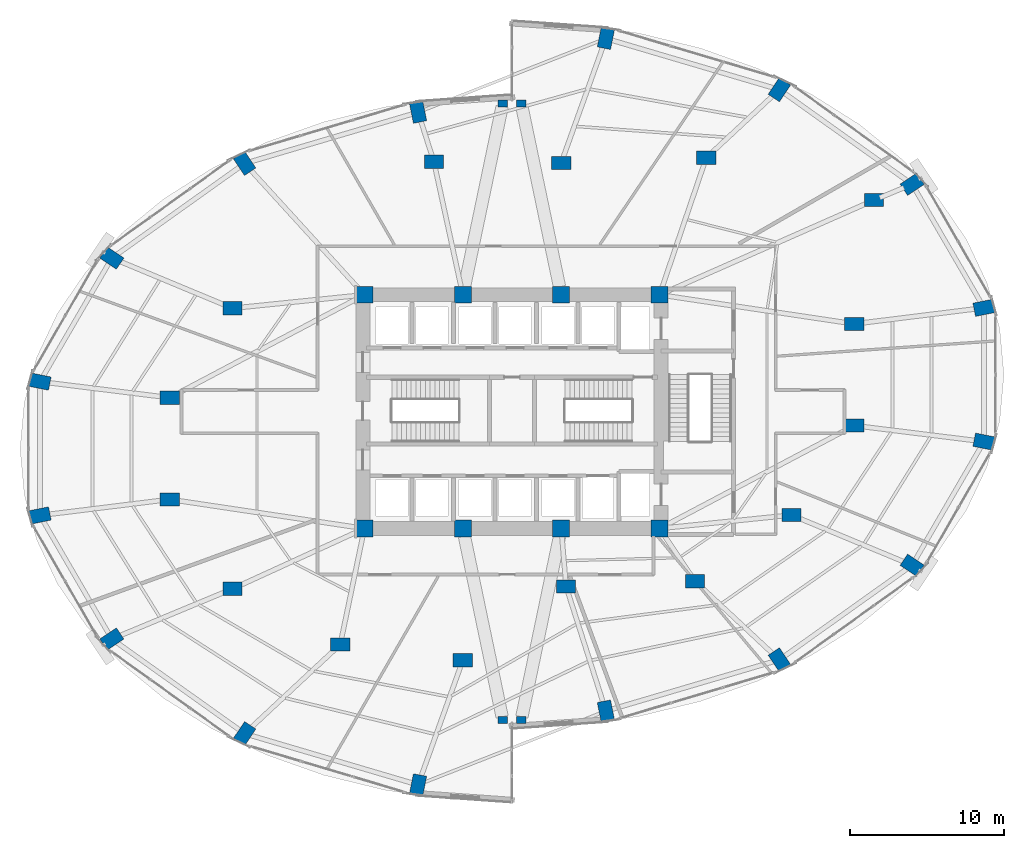
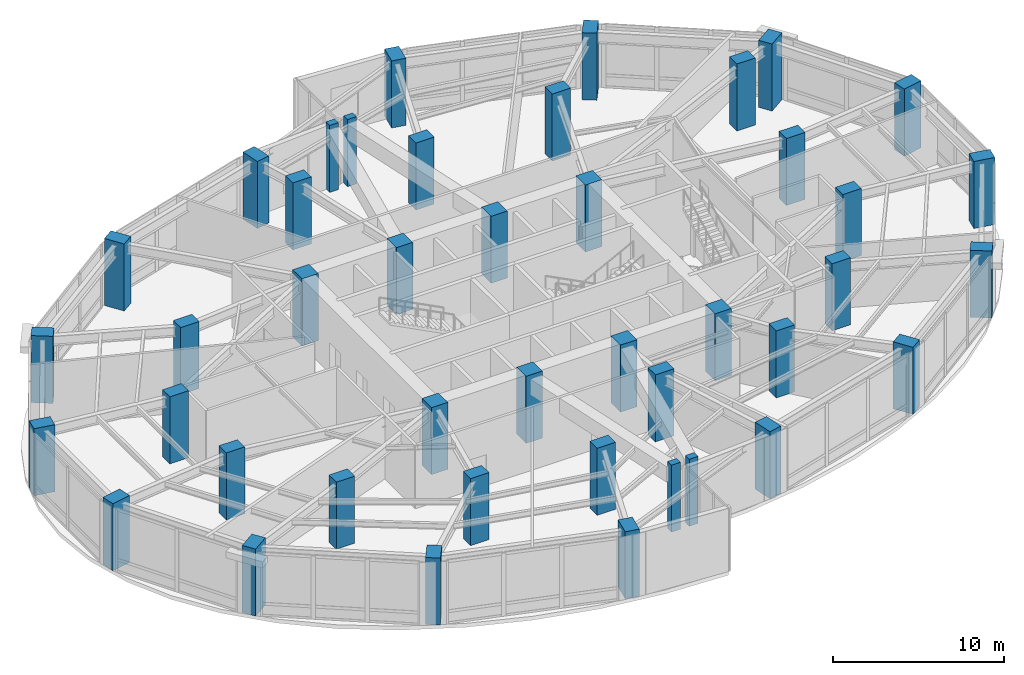
# One storey, part 1 of 24: 43 columns.
"""IFC4 building model written with IfcOpenShell, lengths in metres."""

from ifc_helpers import new_model, si_unit, direction, frame, origin, origin_2d, place, context, subcontext, project, spatial, rectangle, extrude, material, material_profile, profile_set, type_object, element, save


model = new_model("IFC4")

# Units and contexts
model_context = context("Model", 3, precision=1e-05, world=origin(), true_north=direction((0.0, 1.0)))
body_context = subcontext(model_context, "Body", "Model", "MODEL_VIEW")
ifc_project = project(units=[si_unit("LENGTHUNIT", "METRE"), si_unit("AREAUNIT", "SQUARE_METRE"), si_unit("VOLUMEUNIT", "CUBIC_METRE"), si_unit("PLANEANGLEUNIT", "RADIAN"), si_unit("MASSUNIT", "GRAM", prefix="KILO")], contexts=[model_context])

# Site, building, storey
site_placement = place(None, origin())
site = spatial("IfcSite", under=ifc_project, at=site_placement, CompositionType="ELEMENT")
building_placement = place(site_placement, origin())
building = spatial("IfcBuilding", under=site, at=building_placement, Name="Lazwardi Medical Tower", CompositionType="ELEMENT")
storey_placement = place(building_placement, frame((0.0, 0.0, 15.60009765625)))
storey = spatial("IfcBuildingStorey", under=building, at=storey_placement, Name="L03", CompositionType="ELEMENT", Elevation=15.60009765625)

# Columns
ifc_material_1 = material(Name="Concrete C80/95", Category="concrete")
ifc_material_profile_1 = material_profile(ifc_material_1, rectangle(XDim=1.10009765625, YDim=1.10009765625, at=origin_2d()), Name="RC 1100x1100")
ifc_profile_set_1 = profile_set([ifc_material_profile_1], Name="Concrete C80/95")
column_type_1 = type_object("IfcColumnType", Name="COL-CC-L", PredefinedType="COLUMN", material=ifc_profile_set_1)
for number, where, z_axis, x_axis, name in (
    (1, (26.39990234375, 20.39990234375, 0.0), (0.0, 0.0, 1.0), (1.0, 0.0, 0.0), "Core column CC-01 CC1 L03"),
    (2, (32.800048828125, 20.39990234375, 0.0), (0.0, 0.0, 1.0), (1.0, 0.0, 0.0), "Core column CC-01 CC2 L03"),
    (3, (39.199951171875, 20.39990234375, 0.0), (0.0, 0.0, 1.0), (1.0, 0.0, 0.0), "Core column CC-01 CC3 L03"),
    (4, (45.60009765625, 20.39990234375, 0.0), (0.0, 0.0, 1.0), (1.0, 0.0, 0.0), "Core column CC-01 CC4 L03"),
    (5, (45.60009765625, 35.60009765625, 0.0), (0.0, 0.0, 1.0), (1.0, 0.0, 0.0), "Core column CC-01 CC5 L03"),
    (6, (39.199951171875, 35.60009765625, 0.0), (0.0, 0.0, 1.0), (1.0, 0.0, 0.0), "Core column CC-01 CC6 L03"),
    (7, (32.800048828125, 35.60009765625, 0.0), (0.0, 0.0, 1.0), (1.0, 0.0, 0.0), "Core column CC-01 CC7 L03"),
    (8, (26.39990234375, 35.60009765625, 0.0), (0.0, 0.0, 1.0), (1.0, 0.0, 0.0), "Core column CC-01 CC8 L03"),
):
    element("IfcColumn", number, at=place(storey_placement, frame(where, z_axis=z_axis, x_axis=x_axis)), inside=storey, type_object=column_type_1, Name=name, PredefinedType="COLUMN", context=body_context, shape_type="SweptSolid", body=[
        extrude(rectangle(XDim=1.10009765625, YDim=1.10009765625, at=origin_2d()), origin(), (0.0, 0.0, 1.0), 4.7998046875),
    ])
ifc_material_profile_2 = material_profile(ifc_material_1, rectangle(XDim=1.300048828125, YDim=0.8798828125, at=origin_2d()), Name="CFT-RECT 1300x880")
ifc_profile_set_2 = profile_set([ifc_material_profile_2], Name="Concrete C80/95")
column_type_2 = type_object("IfcColumnType", Name="COL-MC-P1", PredefinedType="COLUMN", material=ifc_profile_set_2)
for number, where, z_axis, x_axis, name in (
    (9, (42.106201171875, 8.528564453125, 0.0), (0.0, 0.0, 1.0), (0.195090322016, -0.980785280403, 0.0), "Mega column MC-02 M01 L03"),
    (10, (53.389404296875, 11.858154296875, 0.0), (0.0, 0.0, 1.0), (0.55557023302, -0.831469612303, 0.0), "Mega column MC-02 M02 L03"),
    (11, (62.02490234375, 18.0107421875, 0.0), (0.0, 0.0, 1.0), (0.831469612303, -0.55557023302, 0.0), "Mega column MC-02 M03 L03"),
    (12, (66.698486328125, 26.049560546875, 0.0), (0.0, 0.0, 1.0), (0.980785280403, -0.195090322016, 0.0), "Mega column MC-02 M04 L03"),
    (13, (66.698486328125, 34.75048828125, 0.0), (0.0, 0.0, 1.0), (0.980785280403, 0.195090322016, 0.0), "Mega column MC-02 M05 L03"),
    (14, (62.02490234375, 42.789306640625, 0.0), (0.0, 0.0, 1.0), (0.831469612303, 0.55557023302, 0.0), "Mega column MC-02 M06 L03"),
    (15, (53.389404296875, 48.94189453125, 0.0), (0.0, 0.0, 1.0), (0.55557023302, 0.831469612303, 0.0), "Mega column MC-02 M07 L03"),
    (16, (42.106201171875, 52.271484375, 0.0), (0.0, 0.0, 1.0), (0.195090322016, 0.980785280403, 0.0), "Mega column MC-02 M08 L03"),
    (17, (29.893798828125, 47.471435546875, 0.0), (0.0, 0.0, 1.0), (-0.195090322016, 0.980785280403, 0.0), "Mega column MC-02 M09 L03"),
    (18, (18.610595703125, 44.141845703125, 0.0), (0.0, 0.0, 1.0), (-0.55557023302, 0.831469612303, 0.0), "Mega column MC-02 M10 L03"),
    (19, (9.97509765625, 37.9892578125, 0.0), (0.0, 0.0, 1.0), (-0.831469612303, 0.55557023302, 0.0), "Mega column MC-02 M11 L03"),
    (20, (5.301513671875, 29.950439453125, 0.0), (0.0, 0.0, 1.0), (-0.980785280403, 0.195090322016, 0.0), "Mega column MC-02 M12 L03"),
    (21, (5.301513671875, 21.24951171875, 0.0), (0.0, 0.0, 1.0), (-0.980785280403, -0.195090322016, 0.0), "Mega column MC-02 M13 L03"),
    (22, (9.97509765625, 13.210693359375, 0.0), (0.0, 0.0, 1.0), (-0.831469612303, -0.55557023302, 0.0), "Mega column MC-02 M14 L03"),
    (23, (18.610595703125, 7.05810546875, 0.0), (0.0, 0.0, 1.0), (-0.55557023302, -0.831469612303, 0.0), "Mega column MC-02 M15 L03"),
    (24, (29.893798828125, 3.728515625, 0.0), (0.0, 0.0, 1.0), (-0.195090322016, -0.980785280403, 0.0), "Mega column MC-02 M16 L03"),
):
    element("IfcColumn", number, at=place(storey_placement, frame(where, z_axis=z_axis, x_axis=x_axis)), inside=storey, type_object=column_type_2, Name=name, PredefinedType="COLUMN", context=body_context, shape_type="SweptSolid", body=[
        extrude(rectangle(XDim=1.300048828125, YDim=0.8798828125, at=origin_2d()), origin(), (0.0, 0.0, 1.0), 4.7998046875),
    ])
ifc_material_2 = material(Name="Concrete C70/85", Category="concrete")
ifc_material_profile_3 = material_profile(ifc_material_2, rectangle(XDim=1.25, YDim=0.860107421875, at=origin_2d()), Name="CFT-RECT 1250x860")
ifc_profile_set_3 = profile_set([ifc_material_profile_3], Name="Concrete C70/85")
column_type_3 = type_object("IfcColumnType", Name="COL-MC-Z1", PredefinedType="COLUMN", material=ifc_profile_set_3)
for number, where, z_axis, x_axis, name in (
    (25, (39.52001953125, 16.625, 0.0), (0.0, 0.0, 1.0), (1.0, 0.0, 0.0), "Mega column MC-03 PM01 L03"),
    (26, (47.902099609375, 16.970947265625, 0.0), (0.0, 0.0, 1.0), (1.0, 0.0, 0.0), "Mega column MC-03 PM02 L03"),
    (27, (54.177001953125, 21.27587890625, 0.0), (0.0, 0.0, 1.0), (1.0, 0.0, 0.0), "Mega column MC-03 PM03 L03"),
    (28, (58.262939453125, 27.093994140625, 0.0), (0.0, 0.0, 1.0), (1.0, 0.0, 0.0), "Mega column MC-03 PM04 L03"),
    (29, (58.262939453125, 33.7060546875, 0.0), (0.0, 0.0, 1.0), (1.0, 0.0, 0.0), "Mega column MC-03 PM05 L03"),
    (30, (59.550048828125, 41.760009765625, 0.0), (0.0, 0.0, 1.0), (1.0, 0.0, 0.0), "Mega column MC-03 PM06 L03"),
    (31, (48.634033203125, 44.510009765625, 0.0), (0.0, 0.0, 1.0), (1.0, 0.0, 0.0), "Mega column MC-03 PM07 L03"),
    (32, (39.199951171875, 44.175048828125, 0.0), (0.0, 0.0, 1.0), (1.0, 0.0, 0.0), "Mega column MC-03 PM08 L03"),
    (33, (30.919921875, 44.25, 0.0), (0.0, 0.0, 1.0), (1.0, 0.0, 0.0), "Mega column MC-03 PM09 L03"),
    (34, (17.822998046875, 34.72412109375, 0.0), (0.0, 0.0, 1.0), (1.0, 0.0, 0.0), "Mega column MC-03 PM11 L03"),
    (35, (13.737060546875, 28.906005859375, 0.0), (0.0, 0.0, 1.0), (1.0, 0.0, 0.0), "Mega column MC-03 PM12 L03"),
    (36, (13.737060546875, 22.2939453125, 0.0), (0.0, 0.0, 1.0), (1.0, 0.0, 0.0), "Mega column MC-03 PM13 L03"),
    (37, (17.822998046875, 16.47607421875, 0.0), (0.0, 0.0, 1.0), (1.0, 0.0, 0.0), "Mega column MC-03 PM14 L03"),
    (38, (24.8291015625, 12.85302734375, 0.0), (0.0, 0.0, 1.0), (1.0, 0.0, 0.0), "Mega column MC-03 PM15 L03"),
    (39, (32.800048828125, 11.824951171875, 0.0), (0.0, 0.0, 1.0), (1.0, 0.0, 0.0), "Mega column MC-03 PM16 L03"),
):
    element("IfcColumn", number, at=place(storey_placement, frame(where, z_axis=z_axis, x_axis=x_axis)), inside=storey, type_object=column_type_3, Name=name, PredefinedType="COLUMN", context=body_context, shape_type="SweptSolid", body=[
        extrude(rectangle(XDim=1.25, YDim=0.860107421875, at=origin_2d()), origin(), (0.0, 0.0, 1.0), 4.7998046875),
    ])
ifc_material_3 = material(Name="Concrete C60/75", Category="concrete")
ifc_material_profile_4 = material_profile(ifc_material_3, rectangle(XDim=0.60009765625, YDim=0.449951171875, at=origin_2d()), Name="RC 600x450")
ifc_profile_set_4 = profile_set([ifc_material_profile_4], Name="Concrete C60/75")
column_type_4 = type_object("IfcColumnType", Name="COL-PL-IW", PredefinedType="PILASTER", material=ifc_profile_set_4)
for number, where, z_axis, x_axis, name in (
    (40, (35.39990234375, 48.050048828125, 0.0), (0.0, 0.0, 1.0), (1.0, 0.0, 0.0), "Iwan pilaster column PL-C1 PL1 L03"),
    (41, (36.60009765625, 48.050048828125, 0.0), (0.0, 0.0, 1.0), (1.0, 0.0, 0.0), "Iwan pilaster column PL-C1 PL2 L03"),
    (42, (35.39990234375, 7.949951171875, 0.0), (0.0, 0.0, 1.0), (1.0, 0.0, 0.0), "Iwan pilaster column PL-C1 PL3 L03"),
    (43, (36.60009765625, 7.949951171875, 0.0), (0.0, 0.0, 1.0), (1.0, 0.0, 0.0), "Iwan pilaster column PL-C1 PL4 L03"),
):
    element("IfcColumn", number, at=place(storey_placement, frame(where, z_axis=z_axis, x_axis=x_axis)), inside=storey, type_object=column_type_4, Name=name, PredefinedType="PILASTER", context=body_context, shape_type="SweptSolid", body=[
        extrude(rectangle(XDim=0.60009765625, YDim=0.449951171875, at=origin_2d()), origin(), (0.0, 0.0, 1.0), 4.7998046875),
    ])

save(model, "model.ifc")
